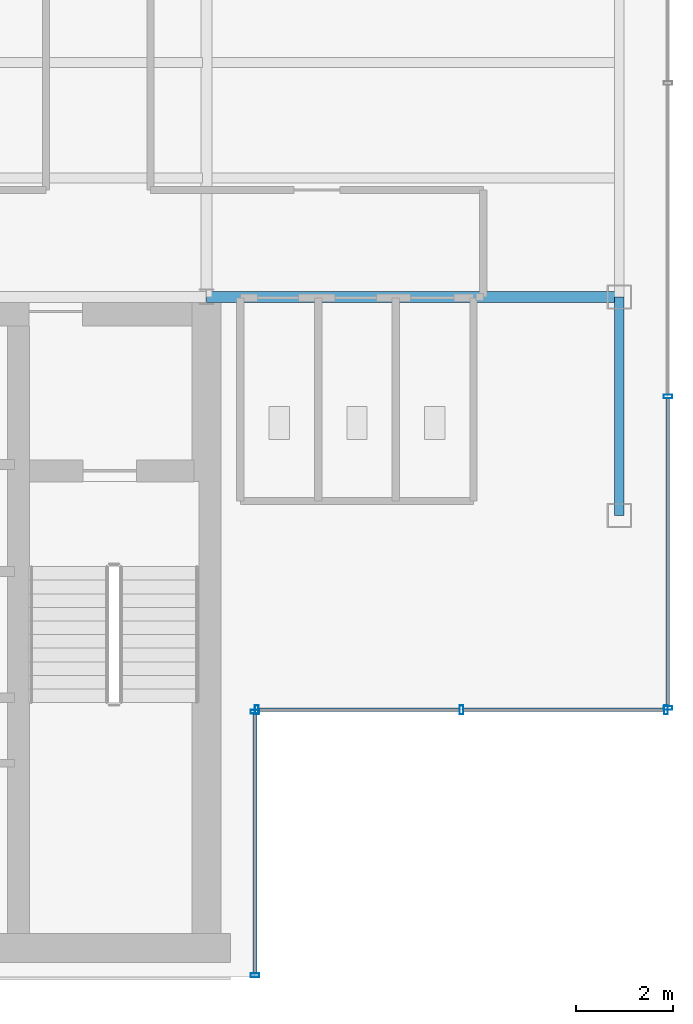
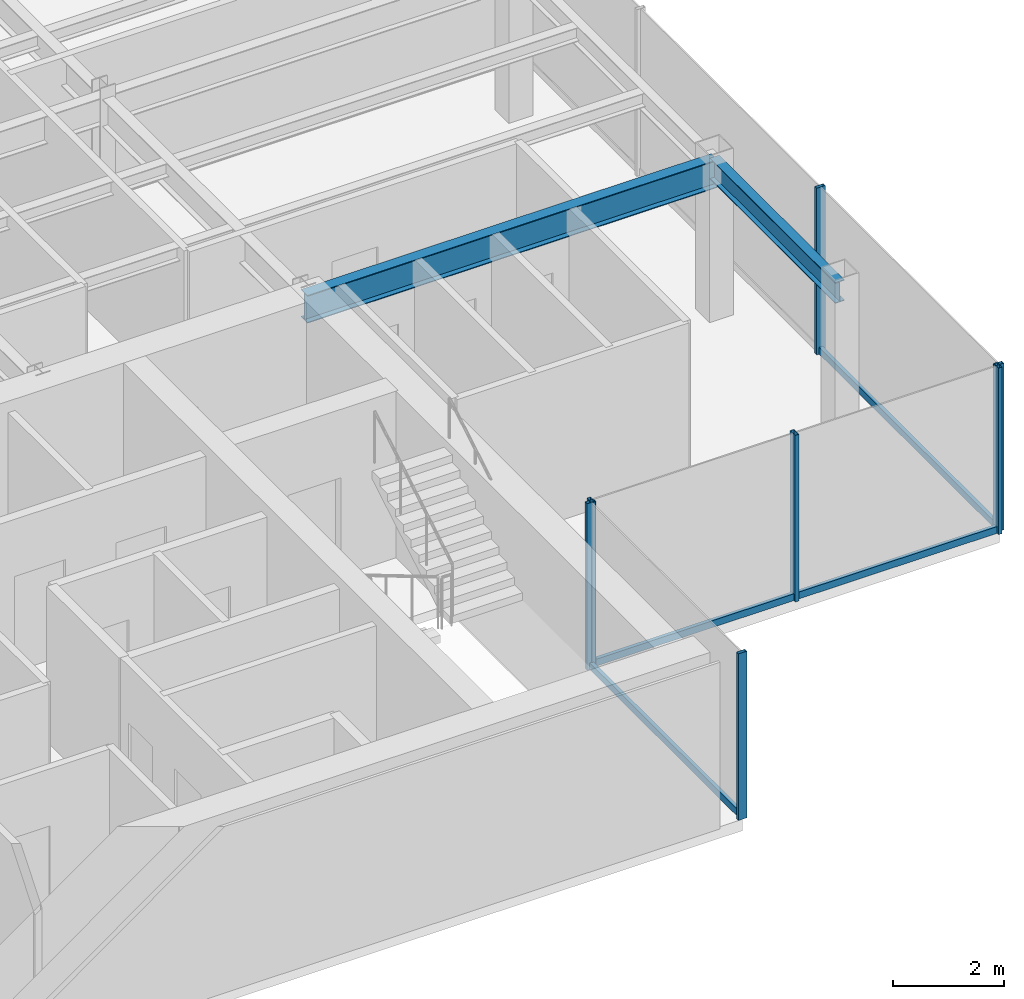
# One storey, part 9 of 22: 11 members, 2 beams, 3 elements without a shape of their own.
"""IFC4 building model written with IfcOpenShell, lengths in metres."""

import ifcopenshell
import ifcopenshell.guid

model = None  # the IFC model being written
_history = None  # IfcOwnerHistory: only IFC2X3 demands one
_inside = {}  # id of a spatial element -> (the spatial element, [elements in it])
_under = {}  # id of a project, library or spatial element -> (it, [spatial elements below it])
_declared = {}  # id of a project -> (the project, [libraries it declares])
_typed = {}  # id of a type object -> (the type object, [elements of that type])
_made_of = {}  # id of a material, layer set ... -> (it, [elements and type objects made of it])


def new_model(schema):
    """Start an empty IFC model of exactly this schema.

    Asked for "IFC4X3", IfcOpenShell would pick the latest addendum, in which some entities
    have other attributes; the version numbers below select the first issue.
    IFC2X3 requires an IfcOwnerHistory on every rooted entity: one is made here for all.
    """
    global model, _history
    if schema == "IFC4X3":
        model = ifcopenshell.file(schema_version=(4, 3, 0, 0))
    else:
        model = ifcopenshell.file(schema=schema)
    _inside.clear()
    _under.clear()
    _declared.clear()
    _typed.clear()
    _made_of.clear()
    _history = None
    if model.schema == "IFC2X3":
        org = make("IfcOrganization", Name="unknown")
        user = make(
            "IfcPersonAndOrganization",
            ThePerson=make("IfcPerson", FamilyName="unknown"),
            TheOrganization=org,
        )
        app = make(
            "IfcApplication",
            ApplicationDeveloper=org,
            Version="unknown",
            ApplicationFullName="unknown",
            ApplicationIdentifier="unknown",
        )
        _history = make(
            "IfcOwnerHistory",
            OwningUser=user,
            OwningApplication=app,
            ChangeAction="ADDED",
            CreationDate=0,
        )
    return model


def make(cls, **values):
    """One entity of the class cls with the attributes given. An attribute that is None is left unset."""
    return model.create_entity(
        cls, **{name: value for name, value in values.items() if value is not None}
    )


def rooted(cls, **values):
    """An entity with a GlobalId (a new one), such as an element, a storey or a relation."""
    return make(cls, GlobalId=ifcopenshell.guid.new(), OwnerHistory=_history, **values)


def si_unit(unit_type, name, prefix=None):
    """IfcSIUnit, for example si_unit("LENGTHUNIT", "METRE", prefix="MILLI")."""
    return make("IfcSIUnit", UnitType=unit_type, Prefix=prefix, Name=name)


def derived_unit(unit_type, elements):
    """IfcDerivedUnit: a product of units, each with its exponent."""
    return make(
        "IfcDerivedUnit",
        Elements=[
            make("IfcDerivedUnitElement", Unit=unit, Exponent=power)
            for unit, power in elements
        ],
        UnitType=unit_type,
    )


def assignment(units):
    """IfcUnitAssignment: the units of a project."""
    return None if units is None else make("IfcUnitAssignment", Units=units)


def point(xyz):
    """IfcCartesianPoint."""
    return None if xyz is None else make("IfcCartesianPoint", Coordinates=xyz)


def direction(xyz):
    """IfcDirection."""
    return None if xyz is None else make("IfcDirection", DirectionRatios=xyz)


def frame(location, z_axis=None, x_axis=None):
    """IfcAxis2Placement3D, a coordinate frame: its origin and axes. An axis left out is left unset."""
    return make(
        "IfcAxis2Placement3D",
        Location=point(location),
        Axis=direction(z_axis),
        RefDirection=direction(x_axis),
    )


def frame_2d(location, x_axis=None):
    """IfcAxis2Placement2D, a coordinate frame in the plane: its origin and x axis."""
    return make(
        "IfcAxis2Placement2D", Location=point(location), RefDirection=direction(x_axis)
    )


def origin():
    """The frame at (0, 0, 0) with its axes left unset."""
    return frame((0.0, 0.0, 0.0))


def origin_2d():
    """The frame at (0, 0) in the plane with its x axis left unset."""
    return frame_2d((0.0, 0.0))


def place(relative_to, where):
    """IfcLocalPlacement: puts the frame where relative to a parent placement (None: the world)."""
    return make(
        "IfcLocalPlacement", PlacementRelTo=relative_to, RelativePlacement=where
    )


def context(
    kind, dimensions, precision=None, world=None, true_north=None, identifier=None
):
    """IfcGeometricRepresentationContext, for example the 3D "Model" context."""
    return make(
        "IfcGeometricRepresentationContext",
        ContextIdentifier=identifier,
        ContextType=kind,
        CoordinateSpaceDimension=dimensions,
        Precision=precision,
        WorldCoordinateSystem=world,
        TrueNorth=true_north,
    )


def subcontext(parent, identifier, kind, view, scale=None):
    """IfcGeometricRepresentationSubContext, for example "Body" below "Model"."""
    return make(
        "IfcGeometricRepresentationSubContext",
        ContextIdentifier=identifier,
        ContextType=kind,
        ParentContext=parent,
        TargetScale=scale,
        TargetView=view,
    )


def project(units=None, contexts=None):
    """IfcProject with its units and contexts."""
    return rooted(
        "IfcProject",
        Name="project",
        RepresentationContexts=contexts,
        UnitsInContext=assignment(units),
    )


def spatial(cls, under=None, at=None, **own):
    """A site, building, storey or space (cls), placed at a placement, below another one or the project."""
    s = rooted(cls, ObjectPlacement=at, **own)
    if under is not None:
        _under.setdefault(under.id(), (under, []))[1].append(s)
    return s


def profile(cls, at=None, kind="AREA", **sizes):
    """A parametric profile (cls). Its sizes go by their IFC names, for example OverallWidth=200.0."""
    return make(cls, ProfileType=kind, Position=at, **sizes)


def hollow_rectangle(**sizes):
    """IfcRectangleHollowProfileDef."""
    return profile("IfcRectangleHollowProfileDef", **sizes)


def i_section(**sizes):
    """IfcIShapeProfileDef."""
    return profile("IfcIShapeProfileDef", **sizes)


def extrude(swept, where, along, depth):
    """IfcExtrudedAreaSolid: the profile swept, set in the frame where, extruded along a direction by depth."""
    return make(
        "IfcExtrudedAreaSolid",
        SweptArea=swept,
        Position=where,
        ExtrudedDirection=direction(along),
        Depth=depth,
    )


def shape(context_of_items, identifier, shape_type, items):
    """IfcShapeRepresentation: the items that make up one representation, for example the "Body"."""
    return make(
        "IfcShapeRepresentation",
        ContextOfItems=context_of_items,
        RepresentationIdentifier=identifier,
        RepresentationType=shape_type,
        Items=items,
    )


def source(mapping_origin, context_of_items, identifier, shape_type, items):
    """IfcRepresentationMap: a shape defined once, which mapped items show again and again."""
    return make(
        "IfcRepresentationMap",
        MappingOrigin=mapping_origin,
        MappedRepresentation=shape(context_of_items, identifier, shape_type, items),
    )


def transform(
    local_origin,
    x_axis=None,
    y_axis=None,
    z_axis=None,
    scale=None,
    scale2=None,
    scale3=None,
    uniform=True,
):
    """IfcCartesianTransformationOperator3D, or its non-uniform kind. x_axis, y_axis, z_axis: its Axis1, 2, 3."""
    if uniform:
        return make(
            "IfcCartesianTransformationOperator3D",
            Axis1=direction(x_axis),
            Axis2=direction(y_axis),
            LocalOrigin=point(local_origin),
            Scale=scale,
            Axis3=direction(z_axis),
        )
    return make(
        "IfcCartesianTransformationOperator3DnonUniform",
        Axis1=direction(x_axis),
        Axis2=direction(y_axis),
        LocalOrigin=point(local_origin),
        Scale=scale,
        Axis3=direction(z_axis),
        Scale2=scale2,
        Scale3=scale3,
    )


def mapped(mapping_source, mapping_target):
    """IfcMappedItem: shows the shape of a source again, moved by a transform."""
    return make(
        "IfcMappedItem", MappingSource=mapping_source, MappingTarget=mapping_target
    )


def material(Name=None, Category=None):
    """IfcMaterial."""
    return make("IfcMaterial", Name=Name, Category=Category)


def material_profile(
    of_material, cross_section, Name=None, Category=None, Priority=None
):
    """IfcMaterialProfile: a cross section and its material."""
    return make(
        "IfcMaterialProfile",
        Name=Name,
        Material=of_material,
        Profile=cross_section,
        Priority=Priority,
        Category=Category,
    )


def profile_set(profiles, Name=None, composite=None):
    """IfcMaterialProfileSet."""
    return make(
        "IfcMaterialProfileSet",
        Name=Name,
        MaterialProfiles=profiles,
        CompositeProfile=composite,
    )


def made_of(thing, what):
    """Note that an element or type object is made of a material, layer set ...; save() writes the relation."""
    if what is not None:
        _made_of.setdefault(what.id(), (what, []))[1].append(thing)
    return thing


def type_object(cls, material=None, **own):
    """A type object (cls), such as IfcWallType, which elements share."""
    return made_of(rooted(cls, **own), material)


def element(
    cls,
    number,
    at=None,
    inside=None,
    cuts=None,
    type_object=None,
    material=None,
    context=None,
    identifier="Body",
    shape_type=None,
    held_by="IfcProductDefinitionShape",
    body=None,
    shapes=None,
    **own,
):
    """One element of the class cls, such as IfcWall. Its Tag is "e" and its number.

    at: its placement. inside: the storey or other place that contains it. cuts: it is an
    opening in that element (IfcRelVoidsElement). A single representation is given by context,
    identifier, shape_type and body (its items); several are given by shapes. held_by: the class
    of the entity that holds the representations. save() writes the other relations.
    """
    e = rooted(cls, Tag="e%d" % number, ObjectPlacement=at, **own)
    if body is not None:
        shapes = [shape(context, identifier, shape_type, body)]
    if shapes is not None:
        e.Representation = make(held_by, Representations=shapes)
    if inside is not None:
        _inside.setdefault(inside.id(), (inside, []))[1].append(e)
    if cuts is not None:
        rooted(
            "IfcRelVoidsElement", RelatingBuildingElement=cuts, RelatedOpeningElement=e
        )
    if type_object is not None:
        _typed.setdefault(type_object.id(), (type_object, []))[1].append(e)
    return made_of(e, material)


def aggregate(whole, parts):
    """IfcRelAggregates: a whole, such as a stair, and the parts it consists of."""
    return rooted("IfcRelAggregates", RelatingObject=whole, RelatedObjects=parts)


def save(model, path):
    """Write the relations noted so far, then the file.

    IfcRelAggregates (storeys below a building ...), IfcRelContainedInSpatialStructure (elements
    in a storey), IfcRelDefinesByType, IfcRelAssociatesMaterial and IfcRelDeclares: one each for
    every whole, place, type object, material and project.
    """
    for whole, parts in _under.values():
        aggregate(whole, parts)
    for where, things in _inside.values():
        rooted(
            "IfcRelContainedInSpatialStructure",
            RelatedElements=things,
            RelatingStructure=where,
        )
    for kind, things in _typed.values():
        rooted("IfcRelDefinesByType", RelatedObjects=things, RelatingType=kind)
    for what, things in _made_of.values():
        rooted("IfcRelAssociatesMaterial", RelatedObjects=things, RelatingMaterial=what)
    for by, libraries in _declared.values():
        rooted("IfcRelDeclares", RelatingContext=by, RelatedDefinitions=libraries)
    model.write(path)


model = new_model("IFC4")

# Units and contexts
model_context = context("Model", 3, precision=1e-05, world=origin(), true_north=direction((0.0, 1.0)))
body_context = subcontext(model_context, "Body", "Model", "MODEL_VIEW")
ifc_project = project(units=[si_unit("LENGTHUNIT", "METRE"), si_unit("AREAUNIT", "SQUARE_METRE"), si_unit("VOLUMEUNIT", "CUBIC_METRE"), si_unit("PLANEANGLEUNIT", "RADIAN"), si_unit("MASSUNIT", "GRAM", prefix="KILO"), derived_unit("THERMALTRANSMITTANCEUNIT", [(si_unit("POWERUNIT", "WATT"), 1), (si_unit("LENGTHUNIT", "METRE"), -2), (si_unit("THERMODYNAMICTEMPERATUREUNIT", "KELVIN"), -1)])], contexts=[model_context])

# Site, building, storey
site_placement = place(None, origin())
site = spatial("IfcSite", under=ifc_project, at=site_placement, CompositionType="ELEMENT")
building_placement = place(site_placement, origin())
building = spatial("IfcBuilding", under=site, at=building_placement, Name="Skarnbrae Concourse Arena and Tower", CompositionType="ELEMENT")
storey_placement = place(building_placement, frame((0.0, 0.0, 247.85009765625)))
storey = spatial("IfcBuildingStorey", under=building, at=storey_placement, Name="L64", CompositionType="ELEMENT", Elevation=247.85009765625)

# Beams
ifc_material_1 = material(Name="Steel CSA G40.21 350W", Category="steel")
ifc_material_profile_1 = material_profile(ifc_material_1, i_section(OverallWidth=0.22802734375, OverallDepth=0.60791015625, WebThickness=0.01123046875, FlangeThickness=0.017333984375, at=origin_2d()), Name="W610X113")
ifc_profile_set_1 = profile_set([ifc_material_profile_1], Name="Steel CSA G40.21 350W")
beam_type_1 = type_object("IfcBeamType", Name="BM-GIRD-W610X113", PredefinedType="BEAM", material=ifc_profile_set_1)
shared_shape_1 = source(origin(), body_context, "Body", "SweptSolid", [
    extrude(i_section(OverallWidth=0.22802734375, OverallDepth=0.60791015625, WebThickness=0.01123046875, FlangeThickness=0.017333984375, at=origin_2d()), origin(), (0.0, 0.0, 1.0), 8.5),
])
beam_1_placement = place(storey_placement, frame((33.5, 14.0, 3.095947265625), z_axis=(1.0, 0.0, 0.0), x_axis=(0.0, 1.0, 0.0)))
element("IfcBeam", 1, at=beam_1_placement, inside=storey, type_object=beam_type_1, Name="L64 Primary E-W girder Y14.0-6", PredefinedType="BEAM", context=body_context, shape_type="MappedRepresentation", body=[
    mapped(shared_shape_1, transform((0.0, 0.0, 0.0))),
])
ifc_material_profile_2 = material_profile(ifc_material_1, i_section(OverallWidth=0.19091796875, OverallDepth=0.4599609375, WebThickness=0.010009765625, FlangeThickness=0.01611328125, at=origin_2d()), Name="W460X82")
ifc_profile_set_2 = profile_set([ifc_material_profile_2], Name="Steel CSA G40.21 350W")
beam_type_2 = type_object("IfcBeamType", Name="BM-SPAN-W460X82", PredefinedType="SPANDREL", material=ifc_profile_set_2)
shared_shape_2 = source(origin(), body_context, "Body", "SweptSolid", [
    extrude(i_section(OverallWidth=0.19091796875, OverallDepth=0.4599609375, WebThickness=0.010009765625, FlangeThickness=0.01611328125, at=origin_2d()), origin(), (0.0, 0.0, 1.0), 4.5),
])
beam_2_placement = place(storey_placement, frame((42.0, 9.5, 3.169921875), z_axis=(0.0, 1.0, 0.0), x_axis=(-1.0, 0.0, 0.0)))
element("IfcBeam", 2, at=beam_2_placement, inside=storey, type_object=beam_type_2, Name="L64 Perimeter spandrel X42.0-1", PredefinedType="SPANDREL", context=body_context, shape_type="MappedRepresentation", body=[
    mapped(shared_shape_2, transform((0.0, 0.0, 0.0))),
])

# Curtain wall, members
ifc_material_2 = material(Name="Bronze anodised aluminium 6063-T6", Category="aluminium")
curtain_wall_type = type_object("IfcCurtainWallType", Name="CW-SYS-05-HIGHZONE", PredefinedType="USERDEFINED", material=ifc_material_2)
curtain_wall_1_placement = place(storey_placement, origin())
curtain_wall_1 = element("IfcCurtainWall", 3, at=curtain_wall_1_placement, inside=storey, type_object=curtain_wall_type, Name="L64 Unitised curtain wall CW-L64-E02", ObjectType="UNITISED CURTAIN WALL", PredefinedType="USERDEFINED")
ifc_material_profile_3 = material_profile(ifc_material_2, hollow_rectangle(XDim=0.074951171875, YDim=0.179931640625, WallThickness=0.00390625, at=origin_2d()), Name="ALU-MULL-75X180")
ifc_profile_set_3 = profile_set([ifc_material_profile_3], Name="Bronze anodised aluminium 6063-T6")
member_type_1 = type_object("IfcMemberType", Name="CWM-CW-05", PredefinedType="MULLION", material=ifc_profile_set_3)
shared_shape_3 = source(origin(), body_context, "Body", "SweptSolid", [
    extrude(hollow_rectangle(XDim=0.074951171875, YDim=0.179931640625, WallThickness=0.00390625, at=origin_2d()), origin(), (0.0, 0.0, 1.0), 3.64990234375),
])
member_1_placement = place(storey_placement, frame((34.5, 0.03759765625, 0.0), z_axis=(0.0, 0.0, 1.0), x_axis=(0.0, 1.0, 0.0)))
member_1 = element("IfcMember", 4, at=member_1_placement, type_object=member_type_1, Name="CW-L64-E02 Mullion 1", PredefinedType="MULLION", context=body_context, shape_type="MappedRepresentation", body=[
    mapped(shared_shape_3, transform((0.0, 0.0, 0.0))),
])
member_2_placement = place(storey_placement, frame((34.5, 5.46240234375, 0.0), z_axis=(0.0, 0.0, 1.0), x_axis=(0.0, 1.0, 0.0)))
member_2 = element("IfcMember", 5, at=member_2_placement, type_object=member_type_1, Name="CW-L64-E02 Mullion 2", PredefinedType="MULLION", context=body_context, shape_type="MappedRepresentation", body=[
    mapped(shared_shape_3, transform((0.0, 0.0, 0.0))),
])

curtain_wall_2_placement = place(storey_placement, origin())
curtain_wall_2 = element("IfcCurtainWall", 6, at=curtain_wall_2_placement, inside=storey, type_object=curtain_wall_type, Name="L64 Unitised curtain wall CW-L64-E03", ObjectType="UNITISED CURTAIN WALL", PredefinedType="USERDEFINED")
member_3_placement = place(storey_placement, frame((34.53759765625, 5.5, 0.0), z_axis=(0.0, 0.0, 1.0), x_axis=(1.0, 0.0, 0.0)))
member_3 = element("IfcMember", 7, at=member_3_placement, type_object=member_type_1, Name="CW-L64-E03 Mullion 1", PredefinedType="MULLION", context=body_context, shape_type="MappedRepresentation", body=[
    mapped(shared_shape_3, transform((0.0, 0.0, 0.0))),
])
member_4_placement = place(storey_placement, frame((38.75, 5.5, 0.0), z_axis=(0.0, 0.0, 1.0), x_axis=(1.0, 0.0, 0.0)))
member_4 = element("IfcMember", 8, at=member_4_placement, type_object=member_type_1, Name="CW-L64-E03 Mullion 2", PredefinedType="MULLION", context=body_context, shape_type="MappedRepresentation", body=[
    mapped(shared_shape_3, transform((0.0, 0.0, 0.0))),
])
member_5_placement = place(storey_placement, frame((42.96240234375, 5.5, 0.0), z_axis=(0.0, 0.0, 1.0), x_axis=(1.0, 0.0, 0.0)))
member_5 = element("IfcMember", 9, at=member_5_placement, type_object=member_type_1, Name="CW-L64-E03 Mullion 3", PredefinedType="MULLION", context=body_context, shape_type="MappedRepresentation", body=[
    mapped(shared_shape_3, transform((0.0, 0.0, 0.0))),
])

curtain_wall_3_placement = place(storey_placement, origin())
curtain_wall_3 = element("IfcCurtainWall", 10, at=curtain_wall_3_placement, inside=storey, type_object=curtain_wall_type, Name="L64 Unitised curtain wall CW-L64-E04", ObjectType="UNITISED CURTAIN WALL", PredefinedType="USERDEFINED")
member_6_placement = place(storey_placement, frame((43.0, 5.53759765625, 0.0), z_axis=(0.0, 0.0, 1.0), x_axis=(0.0, 1.0, 0.0)))
member_6 = element("IfcMember", 11, at=member_6_placement, type_object=member_type_1, Name="CW-L64-E04 Mullion 1", PredefinedType="MULLION", context=body_context, shape_type="MappedRepresentation", body=[
    mapped(shared_shape_3, transform((0.0, 0.0, 0.0))),
])
member_7_placement = place(storey_placement, frame((43.0, 11.949951171875, 0.0), z_axis=(0.0, 0.0, 1.0), x_axis=(0.0, 1.0, 0.0)))
member_7 = element("IfcMember", 12, at=member_7_placement, type_object=member_type_1, Name="CW-L64-E04 Mullion 2", PredefinedType="MULLION", context=body_context, shape_type="MappedRepresentation", body=[
    mapped(shared_shape_3, transform((0.0, 0.0, 0.0))),
])

# Member
ifc_material_profile_4 = material_profile(ifc_material_2, hollow_rectangle(XDim=0.074951171875, YDim=0.14990234375, WallThickness=0.00390625, at=origin_2d()), Name="ALU-TRAN-75X150")
ifc_profile_set_4 = profile_set([ifc_material_profile_4], Name="Bronze anodised aluminium 6063-T6")
member_type_2 = type_object("IfcMemberType", Name="CWT-CW-05", PredefinedType="USERDEFINED", material=ifc_profile_set_4)
shared_shape_4 = source(origin(), body_context, "Body", "SweptSolid", [
    extrude(hollow_rectangle(XDim=0.074951171875, YDim=0.14990234375, WallThickness=0.00390625, at=origin_2d()), origin(), (0.0, 0.0, 1.0), 5.35009765625),
])
member_8_placement = place(storey_placement, frame((34.5, 0.074951171875, 0.074951171875), z_axis=(0.0, 1.0, 0.0), x_axis=(-1.0, 0.0, 0.0)))
member_8 = element("IfcMember", 13, at=member_8_placement, type_object=member_type_2, Name="CW-L64-E02 Transom 1", ObjectType="TRANSOM", PredefinedType="USERDEFINED", context=body_context, shape_type="MappedRepresentation", body=[
    mapped(shared_shape_4, transform((0.0, 0.0, 0.0))),
])

aggregate(curtain_wall_1, [member_1, member_2, member_8])

shared_shape_5 = source(origin(), body_context, "Body", "SweptSolid", [
    extrude(hollow_rectangle(XDim=0.074951171875, YDim=0.14990234375, WallThickness=0.00390625, at=origin_2d()), origin(), (0.0, 0.0, 1.0), 4.137451171875),
])
member_9_placement = place(storey_placement, frame((34.574951171875, 5.5, 0.074951171875), z_axis=(1.0, 0.0, 0.0), x_axis=(0.0, 1.0, 0.0)))
member_9 = element("IfcMember", 14, at=member_9_placement, type_object=member_type_2, Name="CW-L64-E03 Transom 1", ObjectType="TRANSOM", PredefinedType="USERDEFINED", context=body_context, shape_type="MappedRepresentation", body=[
    mapped(shared_shape_5, transform((0.0, 0.0, 0.0))),
])

member_10_placement = place(storey_placement, frame((38.78759765625, 5.5, 0.074951171875), z_axis=(1.0, 0.0, 0.0), x_axis=(0.0, 1.0, 0.0)))
member_10 = element("IfcMember", 15, at=member_10_placement, type_object=member_type_2, Name="CW-L64-E03 Transom 2", ObjectType="TRANSOM", PredefinedType="USERDEFINED", context=body_context, shape_type="MappedRepresentation", body=[
    mapped(shared_shape_5, transform((0.0, 0.0, 0.0))),
])

aggregate(curtain_wall_2, [member_3, member_4, member_5, member_9, member_10])

shared_shape_6 = source(origin(), body_context, "Body", "SweptSolid", [
    extrude(hollow_rectangle(XDim=0.074951171875, YDim=0.14990234375, WallThickness=0.00390625, at=origin_2d()), origin(), (0.0, 0.0, 1.0), 6.337646484375),
])
member_11_placement = place(storey_placement, frame((43.0, 5.574951171875, 0.074951171875), z_axis=(0.0, 1.0, 0.0), x_axis=(-1.0, 0.0, 0.0)))
member_11 = element("IfcMember", 16, at=member_11_placement, type_object=member_type_2, Name="CW-L64-E04 Transom 1", ObjectType="TRANSOM", PredefinedType="USERDEFINED", context=body_context, shape_type="MappedRepresentation", body=[
    mapped(shared_shape_6, transform((0.0, 0.0, 0.0))),
])

aggregate(curtain_wall_3, [member_6, member_7, member_11])

save(model, "model.ifc")
